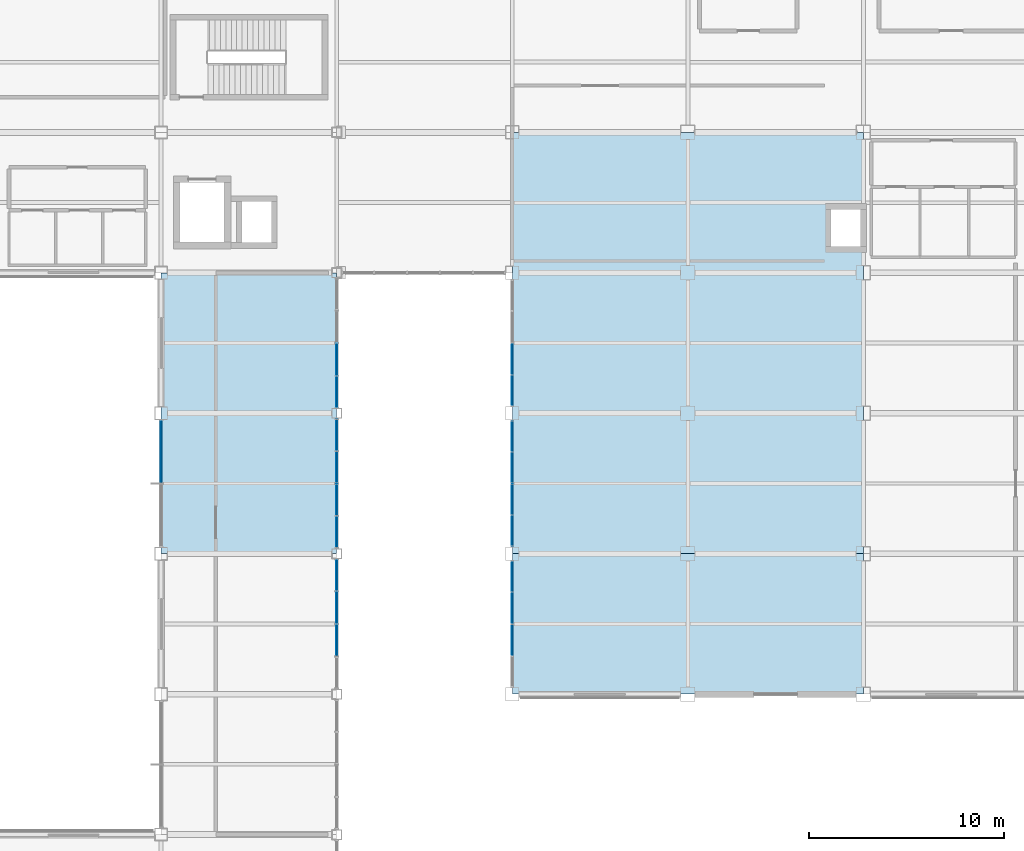
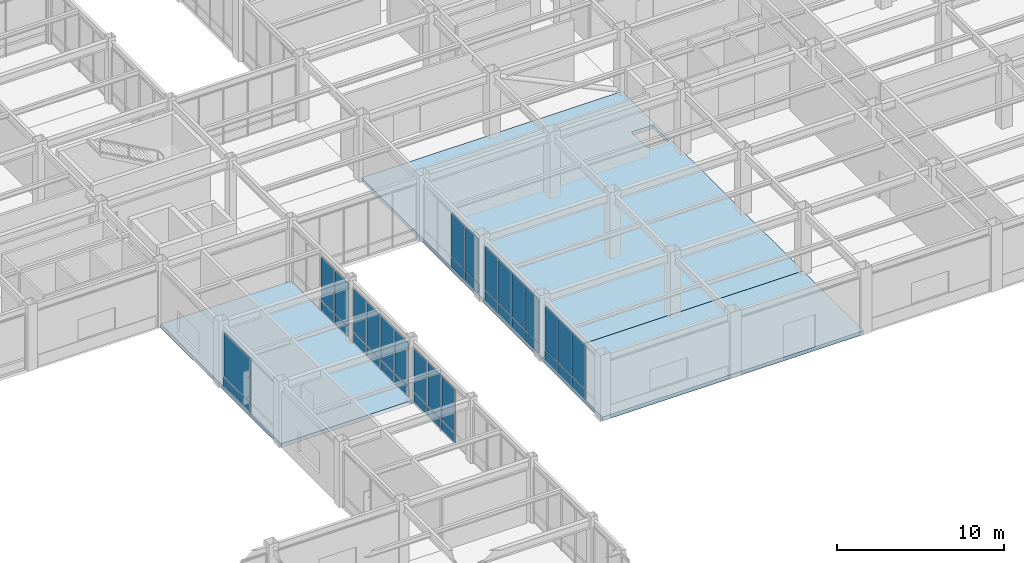
# One storey, part 82 of 112: 38 plates, 3 slabs, 7 elements without a shape of their own.
"""IFC4 building model written with IfcOpenShell, lengths in metres."""

from ifc_helpers import new_model, si_unit, direction, frame, origin, origin_2d, place, context, subcontext, project, spatial, polyline, rectangle, outline, extrude, material, layer, layer_set, type_object, element, aggregate, save


model = new_model("IFC4")

# Units and contexts
model_context = context("Model", 3, precision=1e-05, world=origin(), true_north=direction((0.0, 1.0)))
body_context = subcontext(model_context, "Body", "Model", "MODEL_VIEW")
ifc_project = project(units=[si_unit("LENGTHUNIT", "METRE"), si_unit("AREAUNIT", "SQUARE_METRE"), si_unit("VOLUMEUNIT", "CUBIC_METRE"), si_unit("PLANEANGLEUNIT", "RADIAN"), si_unit("MASSUNIT", "GRAM", prefix="KILO")], contexts=[model_context])

# Site, building, storey
site_placement = place(None, origin())
site = spatial("IfcSite", under=ifc_project, at=site_placement, CompositionType="ELEMENT")
building_placement = place(site_placement, origin())
building = spatial("IfcBuilding", under=site, at=building_placement, Name="Kazanami Central Library", CompositionType="ELEMENT")
storey_placement = place(building_placement, origin())
storey = spatial("IfcBuildingStorey", under=building, at=storey_placement, Name="L01", CompositionType="ELEMENT", Elevation=0.0)

# Curtain wall, plate
ifc_material_1 = material(Name="Acid-Etched Low-E Laminated Glass", Category="glass")
curtain_wall_type_1 = type_object("IfcCurtainWallType", Name="CW-6550x4055-M275", PredefinedType="USERDEFINED", material=ifc_material_1)
curtain_wall_1_placement = place(storey_placement, origin())
curtain_wall_1 = element("IfcCurtainWall", 1, at=curtain_wall_1_placement, inside=storey, type_object=curtain_wall_type_1, Name="Unitised Curtain Wall CW-10 L01 W-12-07", ObjectType="UNITISED CURTAIN WALL", PredefinedType="USERDEFINED")
ifc_layer_1 = layer(ifc_material_1, 0.0439453125, Name="Acid-Etched Low-E Laminated Glass")
ifc_layer_set_1 = layer_set([ifc_layer_1], Name="Acid-Etched Low-E Laminated Glass")
plate_type_1 = type_object("IfcPlateType", Name="PLT-CW-P2", PredefinedType="CURTAIN_PANEL", material=ifc_layer_set_1)
plate_1_placement = place(storey_placement, frame((99.0, 55.6201171875, 0.81494140625), z_axis=(0.0, 0.0, 1.0), x_axis=(0.0, 1.0, 0.0)))
plate_1 = element("IfcPlate", 2, at=plate_1_placement, type_object=plate_type_1, Name="CW-10 panel 2.2", PredefinedType="CURTAIN_PANEL", context=body_context, shape_type="SweptSolid", body=[
    extrude(rectangle(XDim=3.169921875, YDim=0.0439453125, at=origin_2d()), origin(), (0.0, 0.0, 1.0), 3.169921875),
])

# Curtain wall, plates
curtain_wall_type_2 = type_object("IfcCurtainWallType", Name="CW-6700x4055-M180", PredefinedType="USERDEFINED", material=ifc_material_1)
curtain_wall_2_placement = place(storey_placement, origin())
curtain_wall_2 = element("IfcCurtainWall", 3, at=curtain_wall_2_placement, inside=storey, type_object=curtain_wall_type_2, Name="Covered Link Bridge Curtain Wall CW-09 L01 E-13-06", ObjectType="UNITISED CURTAIN WALL", PredefinedType="USERDEFINED")
ifc_material_2 = material(Name="Low-E Insulated Triple Glass", Category="glass")
ifc_layer_2 = layer(ifc_material_2, 0.0400390625, Name="Low-E Insulated Triple Glass")
ifc_layer_set_2 = layer_set([ifc_layer_2], Name="Low-E Insulated Triple Glass")
plate_type_2 = type_object("IfcPlateType", Name="PLT-CW-P3", PredefinedType="CURTAIN_PANEL", material=ifc_layer_set_2)
plate_2_placement = place(storey_placement, frame((108.0, 49.294921875, 0.81494140625), z_axis=(0.0, 0.0, 1.0), x_axis=(0.0, -1.0, 0.0)))
plate_2 = element("IfcPlate", 4, at=plate_2_placement, type_object=plate_type_2, Name="CW-09 panel 1.2", PredefinedType="CURTAIN_PANEL", context=body_context, shape_type="SweptSolid", body=[
    extrude(rectangle(XDim=1.570068359375, YDim=0.0400390625, at=origin_2d()), origin(), (0.0, 0.0, 1.0), 3.169921875),
])
plate_3_placement = place(storey_placement, frame((108.0, 47.637451171875, 0.81494140625), z_axis=(0.0, 0.0, 1.0), x_axis=(0.0, -1.0, 0.0)))
plate_3 = element("IfcPlate", 5, at=plate_3_placement, type_object=plate_type_2, Name="CW-09 panel 2.2", PredefinedType="CURTAIN_PANEL", context=body_context, shape_type="SweptSolid", body=[
    extrude(rectangle(XDim=1.60498046875, YDim=0.0400390625, at=origin_2d()), origin(), (0.0, 0.0, 1.0), 3.169921875),
])
plate_4_placement = place(storey_placement, frame((108.0, 45.96240234375, 0.81494140625), z_axis=(0.0, 0.0, 1.0), x_axis=(0.0, -1.0, 0.0)))
plate_4 = element("IfcPlate", 6, at=plate_4_placement, type_object=plate_type_2, Name="CW-09 panel 3.2", PredefinedType="CURTAIN_PANEL", context=body_context, shape_type="SweptSolid", body=[
    extrude(rectangle(XDim=1.60498046875, YDim=0.0400390625, at=origin_2d()), origin(), (0.0, 0.0, 1.0), 3.169921875),
])

curtain_wall_3_placement = place(storey_placement, origin())
curtain_wall_3 = element("IfcCurtainWall", 7, at=curtain_wall_3_placement, inside=storey, type_object=curtain_wall_type_2, Name="Covered Link Bridge Curtain Wall CW-09 L01 E-13-07", ObjectType="UNITISED CURTAIN WALL", PredefinedType="USERDEFINED")
plate_5_placement = place(storey_placement, frame((108.0, 56.4951171875, 0.81494140625), z_axis=(0.0, 0.0, 1.0), x_axis=(0.0, -1.0, 0.0)))
plate_5 = element("IfcPlate", 8, at=plate_5_placement, type_object=plate_type_2, Name="CW-09 panel 1.2", PredefinedType="CURTAIN_PANEL", context=body_context, shape_type="SweptSolid", body=[
    extrude(rectangle(XDim=1.570068359375, YDim=0.0400390625, at=origin_2d()), origin(), (0.0, 0.0, 1.0), 3.169921875),
])
plate_6_placement = place(storey_placement, frame((108.0, 54.83740234375, 0.81494140625), z_axis=(0.0, 0.0, 1.0), x_axis=(0.0, -1.0, 0.0)))
plate_6 = element("IfcPlate", 9, at=plate_6_placement, type_object=plate_type_2, Name="CW-09 panel 2.2", PredefinedType="CURTAIN_PANEL", context=body_context, shape_type="SweptSolid", body=[
    extrude(rectangle(XDim=1.60498046875, YDim=0.0400390625, at=origin_2d()), origin(), (0.0, 0.0, 1.0), 3.169921875),
])
plate_7_placement = place(storey_placement, frame((108.0, 53.16259765625, 0.81494140625), z_axis=(0.0, 0.0, 1.0), x_axis=(0.0, -1.0, 0.0)))
plate_7 = element("IfcPlate", 10, at=plate_7_placement, type_object=plate_type_2, Name="CW-09 panel 3.2", PredefinedType="CURTAIN_PANEL", context=body_context, shape_type="SweptSolid", body=[
    extrude(rectangle(XDim=1.60498046875, YDim=0.0400390625, at=origin_2d()), origin(), (0.0, 0.0, 1.0), 3.169921875),
])
plate_8_placement = place(storey_placement, frame((108.0, 51.5048828125, 0.81494140625), z_axis=(0.0, 0.0, 1.0), x_axis=(0.0, -1.0, 0.0)))
plate_8 = element("IfcPlate", 11, at=plate_8_placement, type_object=plate_type_2, Name="CW-09 panel 4.2", PredefinedType="CURTAIN_PANEL", context=body_context, shape_type="SweptSolid", body=[
    extrude(rectangle(XDim=1.570068359375, YDim=0.0400390625, at=origin_2d()), origin(), (0.0, 0.0, 1.0), 3.169921875),
])

curtain_wall_4_placement = place(storey_placement, origin())
curtain_wall_4 = element("IfcCurtainWall", 12, at=curtain_wall_4_placement, inside=storey, type_object=curtain_wall_type_2, Name="Covered Link Bridge Curtain Wall CW-09 L01 E-13-08", ObjectType="UNITISED CURTAIN WALL", PredefinedType="USERDEFINED")
plate_9_placement = place(storey_placement, frame((108.0, 60.362548828125, 0.81494140625), z_axis=(0.0, 0.0, 1.0), x_axis=(0.0, -1.0, 0.0)))
plate_9 = element("IfcPlate", 13, at=plate_9_placement, type_object=plate_type_2, Name="CW-09 panel 3.2", PredefinedType="CURTAIN_PANEL", context=body_context, shape_type="SweptSolid", body=[
    extrude(rectangle(XDim=1.60498046875, YDim=0.0400390625, at=origin_2d()), origin(), (0.0, 0.0, 1.0), 3.169921875),
])
plate_10_placement = place(storey_placement, frame((108.0, 58.705078125, 0.81494140625), z_axis=(0.0, 0.0, 1.0), x_axis=(0.0, -1.0, 0.0)))
plate_10 = element("IfcPlate", 14, at=plate_10_placement, type_object=plate_type_2, Name="CW-09 panel 4.2", PredefinedType="CURTAIN_PANEL", context=body_context, shape_type="SweptSolid", body=[
    extrude(rectangle(XDim=1.570068359375, YDim=0.0400390625, at=origin_2d()), origin(), (0.0, 0.0, 1.0), 3.169921875),
])

curtain_wall_type_3 = type_object("IfcCurtainWallType", Name="CW-6500x4055-M180", PredefinedType="USERDEFINED", material=ifc_material_1)
curtain_wall_5_placement = place(storey_placement, origin())
curtain_wall_5 = element("IfcCurtainWall", 15, at=curtain_wall_5_placement, inside=storey, type_object=curtain_wall_type_3, Name="Covered Link Bridge Curtain Wall CW-11 L01 W-14-06", ObjectType="UNITISED CURTAIN WALL", PredefinedType="USERDEFINED")
plate_11_placement = place(storey_placement, frame((117.0, 45.987548828125, 0.81005859375), z_axis=(0.0, 0.0, 1.0), x_axis=(0.0, 1.0, 0.0)))
plate_11 = element("IfcPlate", 16, at=plate_11_placement, type_object=plate_type_2, Name="CW-11 panel 2.2", PredefinedType="CURTAIN_PANEL", context=body_context, shape_type="SweptSolid", body=[
    extrude(rectangle(XDim=1.56494140625, YDim=0.0400390625, at=origin_2d()), origin(), (0.0, 0.0, 1.0), 3.18505859375),
])
plate_12_placement = place(storey_placement, frame((117.0, 47.612548828125, 0.81005859375), z_axis=(0.0, 0.0, 1.0), x_axis=(0.0, 1.0, 0.0)))
plate_12 = element("IfcPlate", 17, at=plate_12_placement, type_object=plate_type_2, Name="CW-11 panel 3.2", PredefinedType="CURTAIN_PANEL", context=body_context, shape_type="SweptSolid", body=[
    extrude(rectangle(XDim=1.56494140625, YDim=0.0400390625, at=origin_2d()), origin(), (0.0, 0.0, 1.0), 3.18505859375),
])
plate_13_placement = place(storey_placement, frame((117.0, 49.222412109375, 0.81005859375), z_axis=(0.0, 0.0, 1.0), x_axis=(0.0, 1.0, 0.0)))
plate_13 = element("IfcPlate", 18, at=plate_13_placement, type_object=plate_type_2, Name="CW-11 panel 4.2", PredefinedType="CURTAIN_PANEL", context=body_context, shape_type="SweptSolid", body=[
    extrude(rectangle(XDim=1.534912109375, YDim=0.0400390625, at=origin_2d()), origin(), (0.0, 0.0, 1.0), 3.18505859375),
])

curtain_wall_6_placement = place(storey_placement, origin())
curtain_wall_6 = element("IfcCurtainWall", 19, at=curtain_wall_6_placement, inside=storey, type_object=curtain_wall_type_3, Name="Covered Link Bridge Curtain Wall CW-11 L01 W-14-07", ObjectType="UNITISED CURTAIN WALL", PredefinedType="USERDEFINED")
plate_14_placement = place(storey_placement, frame((117.0, 51.577392578125, 0.81005859375), z_axis=(0.0, 0.0, 1.0), x_axis=(0.0, 1.0, 0.0)))
plate_14 = element("IfcPlate", 20, at=plate_14_placement, type_object=plate_type_2, Name="CW-11 panel 1.2", PredefinedType="CURTAIN_PANEL", context=body_context, shape_type="SweptSolid", body=[
    extrude(rectangle(XDim=1.534912109375, YDim=0.0400390625, at=origin_2d()), origin(), (0.0, 0.0, 1.0), 3.18505859375),
])
plate_15_placement = place(storey_placement, frame((117.0, 53.1875, 0.81005859375), z_axis=(0.0, 0.0, 1.0), x_axis=(0.0, 1.0, 0.0)))
plate_15 = element("IfcPlate", 21, at=plate_15_placement, type_object=plate_type_2, Name="CW-11 panel 2.2", PredefinedType="CURTAIN_PANEL", context=body_context, shape_type="SweptSolid", body=[
    extrude(rectangle(XDim=1.56494140625, YDim=0.0400390625, at=origin_2d()), origin(), (0.0, 0.0, 1.0), 3.18505859375),
])
plate_16_placement = place(storey_placement, frame((117.0, 54.8125, 0.81005859375), z_axis=(0.0, 0.0, 1.0), x_axis=(0.0, 1.0, 0.0)))
plate_16 = element("IfcPlate", 22, at=plate_16_placement, type_object=plate_type_2, Name="CW-11 panel 3.2", PredefinedType="CURTAIN_PANEL", context=body_context, shape_type="SweptSolid", body=[
    extrude(rectangle(XDim=1.56494140625, YDim=0.0400390625, at=origin_2d()), origin(), (0.0, 0.0, 1.0), 3.18505859375),
])
plate_17_placement = place(storey_placement, frame((117.0, 56.422607421875, 0.81005859375), z_axis=(0.0, 0.0, 1.0), x_axis=(0.0, 1.0, 0.0)))
plate_17 = element("IfcPlate", 23, at=plate_17_placement, type_object=plate_type_2, Name="CW-11 panel 4.2", PredefinedType="CURTAIN_PANEL", context=body_context, shape_type="SweptSolid", body=[
    extrude(rectangle(XDim=1.534912109375, YDim=0.0400390625, at=origin_2d()), origin(), (0.0, 0.0, 1.0), 3.18505859375),
])

curtain_wall_7_placement = place(storey_placement, origin())
curtain_wall_7 = element("IfcCurtainWall", 24, at=curtain_wall_7_placement, inside=storey, type_object=curtain_wall_type_3, Name="Covered Link Bridge Curtain Wall CW-11 L01 W-14-08", ObjectType="UNITISED CURTAIN WALL", PredefinedType="USERDEFINED")
plate_18_placement = place(storey_placement, frame((117.0, 58.777587890625, 0.81005859375), z_axis=(0.0, 0.0, 1.0), x_axis=(0.0, 1.0, 0.0)))
plate_18 = element("IfcPlate", 25, at=plate_18_placement, type_object=plate_type_2, Name="CW-11 panel 1.2", PredefinedType="CURTAIN_PANEL", context=body_context, shape_type="SweptSolid", body=[
    extrude(rectangle(XDim=1.534912109375, YDim=0.0400390625, at=origin_2d()), origin(), (0.0, 0.0, 1.0), 3.18505859375),
])
plate_19_placement = place(storey_placement, frame((117.0, 60.387451171875, 0.81005859375), z_axis=(0.0, 0.0, 1.0), x_axis=(0.0, 1.0, 0.0)))
plate_19 = element("IfcPlate", 26, at=plate_19_placement, type_object=plate_type_2, Name="CW-11 panel 2.2", PredefinedType="CURTAIN_PANEL", context=body_context, shape_type="SweptSolid", body=[
    extrude(rectangle(XDim=1.56494140625, YDim=0.0400390625, at=origin_2d()), origin(), (0.0, 0.0, 1.0), 3.18505859375),
])

# Plate
ifc_material_3 = material(Name="Anodised Aluminium A5052-H32", Category="aluminium")
ifc_layer_3 = layer(ifc_material_3, 0.06005859375, Name="Anodised Aluminium A5052-H32")
ifc_layer_set_3 = layer_set([ifc_layer_3], Name="Anodised Aluminium A5052-H32")
plate_type_3 = type_object("IfcPlateType", Name="PLT-CW-SP1", PredefinedType="CURTAIN_PANEL", material=ifc_layer_set_3)
plate_20_placement = place(storey_placement, frame((99.0, 55.6201171875, 0.06982421875), z_axis=(0.0, 0.0, 1.0), x_axis=(0.0, 1.0, 0.0)))
plate_20 = element("IfcPlate", 27, at=plate_20_placement, type_object=plate_type_3, Name="CW-10 panel 2.1", PredefinedType="CURTAIN_PANEL", context=body_context, shape_type="SweptSolid", body=[
    extrude(rectangle(XDim=3.169921875, YDim=0.06005859375, at=origin_2d()), origin(), (0.0, 0.0, 1.0), 0.675048828125),
])

aggregate(curtain_wall_1, [plate_20, plate_1])

plate_21_placement = place(storey_placement, frame((108.0, 49.294921875, 0.06982421875), z_axis=(0.0, 0.0, 1.0), x_axis=(0.0, -1.0, 0.0)))
plate_21 = element("IfcPlate", 28, at=plate_21_placement, type_object=plate_type_3, Name="CW-09 panel 1.1", PredefinedType="CURTAIN_PANEL", context=body_context, shape_type="SweptSolid", body=[
    extrude(rectangle(XDim=1.570068359375, YDim=0.06005859375, at=origin_2d()), origin(), (0.0, 0.0, 1.0), 0.675048828125),
])

plate_22_placement = place(storey_placement, frame((108.0, 47.637451171875, 0.06982421875), z_axis=(0.0, 0.0, 1.0), x_axis=(0.0, -1.0, 0.0)))
plate_22 = element("IfcPlate", 29, at=plate_22_placement, type_object=plate_type_3, Name="CW-09 panel 2.1", PredefinedType="CURTAIN_PANEL", context=body_context, shape_type="SweptSolid", body=[
    extrude(rectangle(XDim=1.60498046875, YDim=0.06005859375, at=origin_2d()), origin(), (0.0, 0.0, 1.0), 0.675048828125),
])

plate_23_placement = place(storey_placement, frame((108.0, 45.96240234375, 0.06982421875), z_axis=(0.0, 0.0, 1.0), x_axis=(0.0, -1.0, 0.0)))
plate_23 = element("IfcPlate", 30, at=plate_23_placement, type_object=plate_type_3, Name="CW-09 panel 3.1", PredefinedType="CURTAIN_PANEL", context=body_context, shape_type="SweptSolid", body=[
    extrude(rectangle(XDim=1.60498046875, YDim=0.06005859375, at=origin_2d()), origin(), (0.0, 0.0, 1.0), 0.675048828125),
])

aggregate(curtain_wall_2, [plate_21, plate_2, plate_22, plate_3, plate_23, plate_4])

plate_24_placement = place(storey_placement, frame((108.0, 56.4951171875, 0.06982421875), z_axis=(0.0, 0.0, 1.0), x_axis=(0.0, -1.0, 0.0)))
plate_24 = element("IfcPlate", 31, at=plate_24_placement, type_object=plate_type_3, Name="CW-09 panel 1.1", PredefinedType="CURTAIN_PANEL", context=body_context, shape_type="SweptSolid", body=[
    extrude(rectangle(XDim=1.570068359375, YDim=0.06005859375, at=origin_2d()), origin(), (0.0, 0.0, 1.0), 0.675048828125),
])

plate_25_placement = place(storey_placement, frame((108.0, 54.83740234375, 0.06982421875), z_axis=(0.0, 0.0, 1.0), x_axis=(0.0, -1.0, 0.0)))
plate_25 = element("IfcPlate", 32, at=plate_25_placement, type_object=plate_type_3, Name="CW-09 panel 2.1", PredefinedType="CURTAIN_PANEL", context=body_context, shape_type="SweptSolid", body=[
    extrude(rectangle(XDim=1.60498046875, YDim=0.06005859375, at=origin_2d()), origin(), (0.0, 0.0, 1.0), 0.675048828125),
])

plate_26_placement = place(storey_placement, frame((108.0, 53.16259765625, 0.06982421875), z_axis=(0.0, 0.0, 1.0), x_axis=(0.0, -1.0, 0.0)))
plate_26 = element("IfcPlate", 33, at=plate_26_placement, type_object=plate_type_3, Name="CW-09 panel 3.1", PredefinedType="CURTAIN_PANEL", context=body_context, shape_type="SweptSolid", body=[
    extrude(rectangle(XDim=1.60498046875, YDim=0.06005859375, at=origin_2d()), origin(), (0.0, 0.0, 1.0), 0.675048828125),
])

plate_27_placement = place(storey_placement, frame((108.0, 51.5048828125, 0.06982421875), z_axis=(0.0, 0.0, 1.0), x_axis=(0.0, -1.0, 0.0)))
plate_27 = element("IfcPlate", 34, at=plate_27_placement, type_object=plate_type_3, Name="CW-09 panel 4.1", PredefinedType="CURTAIN_PANEL", context=body_context, shape_type="SweptSolid", body=[
    extrude(rectangle(XDim=1.570068359375, YDim=0.06005859375, at=origin_2d()), origin(), (0.0, 0.0, 1.0), 0.675048828125),
])

aggregate(curtain_wall_3, [plate_24, plate_5, plate_25, plate_6, plate_26, plate_7, plate_27, plate_8])

plate_28_placement = place(storey_placement, frame((108.0, 60.362548828125, 0.06982421875), z_axis=(0.0, 0.0, 1.0), x_axis=(0.0, -1.0, 0.0)))
plate_28 = element("IfcPlate", 35, at=plate_28_placement, type_object=plate_type_3, Name="CW-09 panel 3.1", PredefinedType="CURTAIN_PANEL", context=body_context, shape_type="SweptSolid", body=[
    extrude(rectangle(XDim=1.60498046875, YDim=0.06005859375, at=origin_2d()), origin(), (0.0, 0.0, 1.0), 0.675048828125),
])

plate_29_placement = place(storey_placement, frame((108.0, 58.705078125, 0.06982421875), z_axis=(0.0, 0.0, 1.0), x_axis=(0.0, -1.0, 0.0)))
plate_29 = element("IfcPlate", 36, at=plate_29_placement, type_object=plate_type_3, Name="CW-09 panel 4.1", PredefinedType="CURTAIN_PANEL", context=body_context, shape_type="SweptSolid", body=[
    extrude(rectangle(XDim=1.570068359375, YDim=0.06005859375, at=origin_2d()), origin(), (0.0, 0.0, 1.0), 0.675048828125),
])

aggregate(curtain_wall_4, [plate_28, plate_9, plate_29, plate_10])

ifc_layer_4 = layer(ifc_material_3, 0.052001953125, Name="Anodised Aluminium A5052-H32")
ifc_layer_set_4 = layer_set([ifc_layer_4], Name="Anodised Aluminium A5052-H32")
plate_type_4 = type_object("IfcPlateType", Name="PLT-CW-SP2", PredefinedType="CURTAIN_PANEL", material=ifc_layer_set_4)
plate_30_placement = place(storey_placement, frame((117.0, 45.987548828125, 0.06005859375), z_axis=(0.0, 0.0, 1.0), x_axis=(0.0, 1.0, 0.0)))
plate_30 = element("IfcPlate", 37, at=plate_30_placement, type_object=plate_type_4, Name="CW-11 panel 2.1", PredefinedType="CURTAIN_PANEL", context=body_context, shape_type="SweptSolid", body=[
    extrude(rectangle(XDim=1.56494140625, YDim=0.052001953125, at=origin_2d()), origin(), (0.0, 0.0, 1.0), 0.68994140625),
])

plate_31_placement = place(storey_placement, frame((117.0, 47.612548828125, 0.06005859375), z_axis=(0.0, 0.0, 1.0), x_axis=(0.0, 1.0, 0.0)))
plate_31 = element("IfcPlate", 38, at=plate_31_placement, type_object=plate_type_4, Name="CW-11 panel 3.1", PredefinedType="CURTAIN_PANEL", context=body_context, shape_type="SweptSolid", body=[
    extrude(rectangle(XDim=1.56494140625, YDim=0.052001953125, at=origin_2d()), origin(), (0.0, 0.0, 1.0), 0.68994140625),
])

plate_32_placement = place(storey_placement, frame((117.0, 49.222412109375, 0.06005859375), z_axis=(0.0, 0.0, 1.0), x_axis=(0.0, 1.0, 0.0)))
plate_32 = element("IfcPlate", 39, at=plate_32_placement, type_object=plate_type_4, Name="CW-11 panel 4.1", PredefinedType="CURTAIN_PANEL", context=body_context, shape_type="SweptSolid", body=[
    extrude(rectangle(XDim=1.534912109375, YDim=0.052001953125, at=origin_2d()), origin(), (0.0, 0.0, 1.0), 0.68994140625),
])

aggregate(curtain_wall_5, [plate_30, plate_11, plate_31, plate_12, plate_32, plate_13])

plate_33_placement = place(storey_placement, frame((117.0, 51.577392578125, 0.06005859375), z_axis=(0.0, 0.0, 1.0), x_axis=(0.0, 1.0, 0.0)))
plate_33 = element("IfcPlate", 40, at=plate_33_placement, type_object=plate_type_4, Name="CW-11 panel 1.1", PredefinedType="CURTAIN_PANEL", context=body_context, shape_type="SweptSolid", body=[
    extrude(rectangle(XDim=1.534912109375, YDim=0.052001953125, at=origin_2d()), origin(), (0.0, 0.0, 1.0), 0.68994140625),
])

plate_34_placement = place(storey_placement, frame((117.0, 53.1875, 0.06005859375), z_axis=(0.0, 0.0, 1.0), x_axis=(0.0, 1.0, 0.0)))
plate_34 = element("IfcPlate", 41, at=plate_34_placement, type_object=plate_type_4, Name="CW-11 panel 2.1", PredefinedType="CURTAIN_PANEL", context=body_context, shape_type="SweptSolid", body=[
    extrude(rectangle(XDim=1.56494140625, YDim=0.052001953125, at=origin_2d()), origin(), (0.0, 0.0, 1.0), 0.68994140625),
])

plate_35_placement = place(storey_placement, frame((117.0, 54.8125, 0.06005859375), z_axis=(0.0, 0.0, 1.0), x_axis=(0.0, 1.0, 0.0)))
plate_35 = element("IfcPlate", 42, at=plate_35_placement, type_object=plate_type_4, Name="CW-11 panel 3.1", PredefinedType="CURTAIN_PANEL", context=body_context, shape_type="SweptSolid", body=[
    extrude(rectangle(XDim=1.56494140625, YDim=0.052001953125, at=origin_2d()), origin(), (0.0, 0.0, 1.0), 0.68994140625),
])

plate_36_placement = place(storey_placement, frame((117.0, 56.422607421875, 0.06005859375), z_axis=(0.0, 0.0, 1.0), x_axis=(0.0, 1.0, 0.0)))
plate_36 = element("IfcPlate", 43, at=plate_36_placement, type_object=plate_type_4, Name="CW-11 panel 4.1", PredefinedType="CURTAIN_PANEL", context=body_context, shape_type="SweptSolid", body=[
    extrude(rectangle(XDim=1.534912109375, YDim=0.052001953125, at=origin_2d()), origin(), (0.0, 0.0, 1.0), 0.68994140625),
])

aggregate(curtain_wall_6, [plate_33, plate_14, plate_34, plate_15, plate_35, plate_16, plate_36, plate_17])

plate_37_placement = place(storey_placement, frame((117.0, 58.777587890625, 0.06005859375), z_axis=(0.0, 0.0, 1.0), x_axis=(0.0, 1.0, 0.0)))
plate_37 = element("IfcPlate", 44, at=plate_37_placement, type_object=plate_type_4, Name="CW-11 panel 1.1", PredefinedType="CURTAIN_PANEL", context=body_context, shape_type="SweptSolid", body=[
    extrude(rectangle(XDim=1.534912109375, YDim=0.052001953125, at=origin_2d()), origin(), (0.0, 0.0, 1.0), 0.68994140625),
])

plate_38_placement = place(storey_placement, frame((117.0, 60.387451171875, 0.06005859375), z_axis=(0.0, 0.0, 1.0), x_axis=(0.0, 1.0, 0.0)))
plate_38 = element("IfcPlate", 45, at=plate_38_placement, type_object=plate_type_4, Name="CW-11 panel 2.1", PredefinedType="CURTAIN_PANEL", context=body_context, shape_type="SweptSolid", body=[
    extrude(rectangle(XDim=1.56494140625, YDim=0.052001953125, at=origin_2d()), origin(), (0.0, 0.0, 1.0), 0.68994140625),
])

aggregate(curtain_wall_7, [plate_37, plate_18, plate_38, plate_19])

# Slabs
ifc_material_4 = material(Name="Concrete Fc36 (36 MPa)", Category="concrete")
ifc_layer_5 = layer(ifc_material_4, 0.27490234375, Name="Concrete Fc36 (36 MPa)")
ifc_layer_set_5 = layer_set([ifc_layer_5], Name="Concrete Fc36 (36 MPa)")
slab_type = type_object("IfcSlabType", Name="SLB-FLR-275", PredefinedType="FLOOR", material=ifc_layer_set_5)
slab_1_placement = place(storey_placement, frame((0.0, 0.0, -0.27490234375)))
element("IfcSlab", 46, at=slab_1_placement, inside=storey, type_object=slab_type, Name="Composite Floor Slab L01 V1-EAST Zone 19", PredefinedType="FLOOR", context=body_context, shape_type="SweptSolid", body=[
    extrude(outline(polyline([(99.0, 50.39990234375), (108.0, 50.39990234375), (108.0, 64.800048828125), (99.0, 64.800048828125), (99.0, 50.39990234375)])), origin(), (0.0, 0.0, 1.0), 0.27490234375),
])
slab_2_placement = place(storey_placement, frame((0.0, 0.0, -0.27490234375)))
element("IfcSlab", 47, at=slab_2_placement, inside=storey, type_object=slab_type, Name="Composite Floor Slab L01 V2-MAIN Zone 31", PredefinedType="FLOOR", context=body_context, shape_type="SweptSolid", body=[
    extrude(outline(polyline([(117.0, 43.199951171875), (135.0, 43.199951171875), (135.0, 50.39990234375), (117.0, 50.39990234375), (117.0, 43.199951171875)])), origin(), (0.0, 0.0, 1.0), 0.27490234375),
])
slab_3_placement = place(storey_placement, frame((0.0, 0.0, -0.27490234375)))
element("IfcSlab", 48, at=slab_3_placement, inside=storey, type_object=slab_type, Name="Composite Floor Slab L01 V2-MAIN Zone 32", PredefinedType="FLOOR", context=body_context, shape_type="SweptSolid", body=[
    extrude(outline(polyline([(117.0, 50.39990234375), (135.0, 50.39990234375), (135.0, 72.0), (117.0, 72.0), (117.0, 50.39990234375)]), holes=[polyline([(133.35009765625, 66.14990234375), (134.85009765625, 66.14990234375), (134.85009765625, 68.050048828125), (133.35009765625, 68.050048828125), (133.35009765625, 66.14990234375)])]), origin(), (0.0, 0.0, 1.0), 0.27490234375),
])

save(model, "model.ifc")
